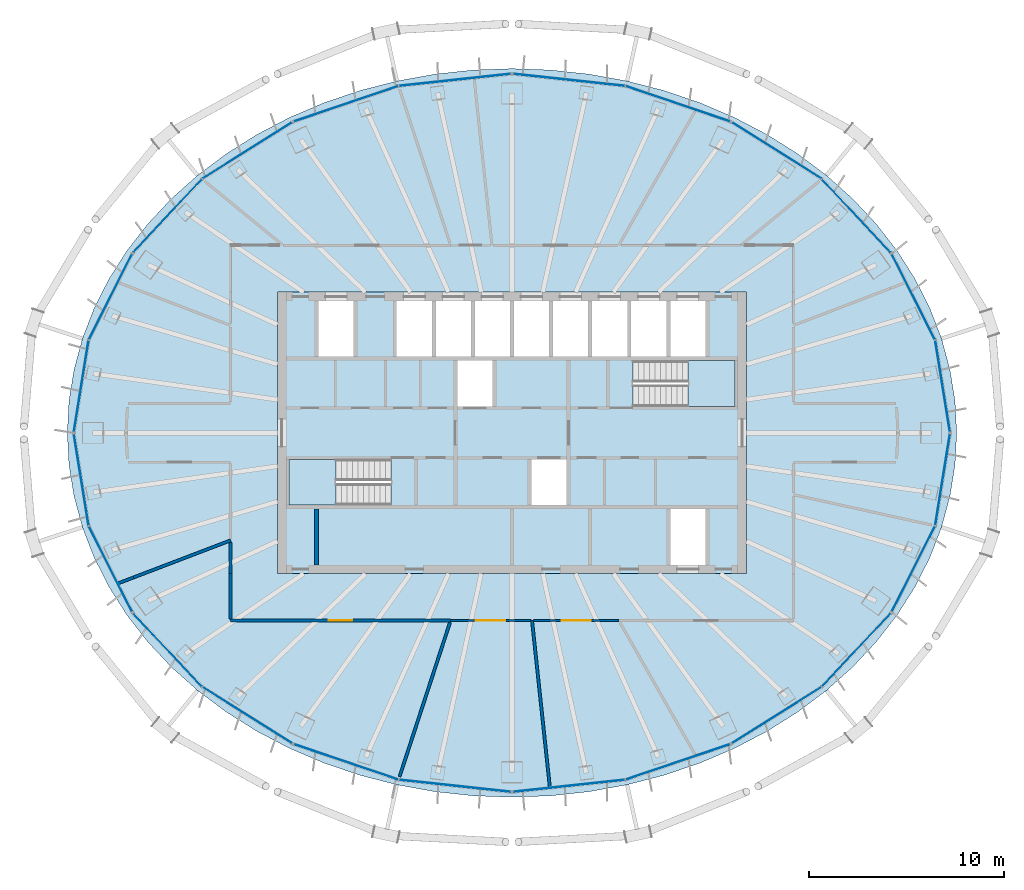
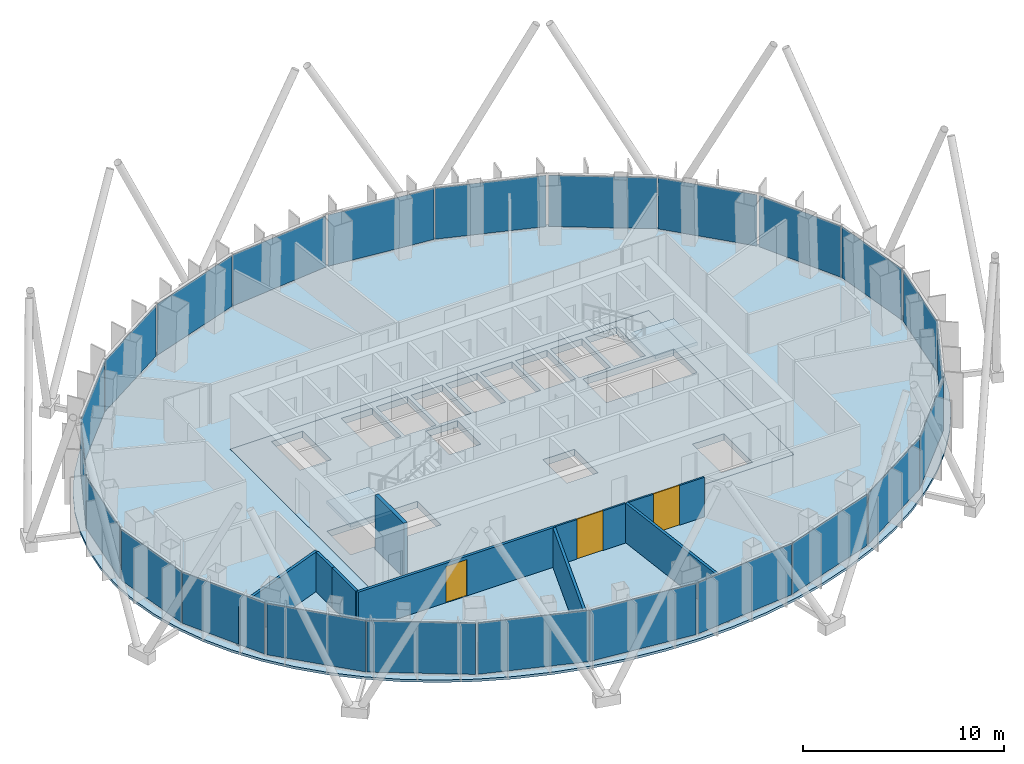
# One storey, part 8 of 18: 24 plates, 10 walls, 4 slabs, 3 doors, 3 openings, 14 elements without a shape of their own.
"""IFC4 building model written with IfcOpenShell, lengths in metres."""

from ifc_helpers import new_model, si_unit, direction, frame, frame_2d, origin, origin_2d, place, context, subcontext, project, spatial, polyline, rectangle, outline, extrude, material, layer, layer_set, type_object, element, fill, aggregate, save


model = new_model("IFC4")

# Units and contexts
model_context = context("Model", 3, precision=1e-05, world=origin(), true_north=direction((0.0, 1.0)))
body_context = subcontext(model_context, "Body", "Model", "MODEL_VIEW")
ifc_project = project(units=[si_unit("LENGTHUNIT", "METRE"), si_unit("AREAUNIT", "SQUARE_METRE"), si_unit("VOLUMEUNIT", "CUBIC_METRE"), si_unit("PLANEANGLEUNIT", "RADIAN"), si_unit("MASSUNIT", "GRAM", prefix="KILO")], contexts=[model_context])

# Site, building, storey
site_placement = place(None, origin())
site = spatial("IfcSite", under=ifc_project, at=site_placement, CompositionType="ELEMENT")
building_placement = place(site_placement, origin())
building = spatial("IfcBuilding", under=site, at=building_placement, Name="Siaravel Broadcast Tower", CompositionType="ELEMENT")
storey_placement = place(building_placement, frame((0.0, 0.0, 201.5)))
storey = spatial("IfcBuildingStorey", under=building, at=storey_placement, Name="L49", CompositionType="ELEMENT", Elevation=201.5)

# Curtain wall, plates
ifc_material_1 = material(Name="Aluminium 6063-T6", Category="aluminium")
ifc_layer_1 = layer(ifc_material_1, 0.179931640625)
ifc_layer_set_1 = layer_set([ifc_layer_1], Name="Aluminium 6063-T6")
curtain_wall_type = type_object("IfcCurtainWallType", Name="Unitised curtain wall, zone 3", PredefinedType="NOTDEFINED", material=ifc_layer_set_1)
curtain_wall_1_placement = place(storey_placement, origin())
curtain_wall_1 = element("IfcCurtainWall", 1, at=curtain_wall_1_placement, inside=storey, type_object=curtain_wall_type, Name="L49 Unitised curtain wall, zone 3 01", PredefinedType="NOTDEFINED")
ifc_material_2 = material(Name="Tinted insulated glass", Category="glass")
ifc_layer_2 = layer(ifc_material_2, 0.028076171875)
ifc_layer_set_2 = layer_set([ifc_layer_2], Name="Tinted insulated glass")
plate_type = type_object("IfcPlateType", Name="CW-Z3 glass panel", PredefinedType="CURTAIN_PANEL", material=ifc_layer_set_2)
plate_1_placement = place(storey_placement, frame((22.041259765625, 2.39453125, 0.099853515625), z_axis=(0.0, 0.0, 1.0), x_axis=(-0.158684528, 0.987329337, 0.0)))
plate_1 = element("IfcPlate", 2, at=plate_1_placement, type_object=plate_type, Name="CW-Z3 glass panel", PredefinedType="CURTAIN_PANEL", context=body_context, shape_type="SweptSolid", body=[
    extrude(rectangle(XDim=4.73046875, YDim=0.028076171875, at=origin_2d()), origin(), (0.0, 0.0, 1.0), 3.10009765625),
])
plate_2_placement = place(storey_placement, frame((20.546875, 6.962890625, 0.099853515625), z_axis=(0.0, 0.0, 1.0), x_axis=(-0.451258705, 0.892393176, 0.0)))
plate_2 = element("IfcPlate", 3, at=plate_2_placement, type_object=plate_type, Name="CW-Z3 glass panel", PredefinedType="CURTAIN_PANEL", context=body_context, shape_type="SweptSolid", body=[
    extrude(rectangle(XDim=4.87841796875, YDim=0.028076171875, at=origin_2d()), origin(), (0.0, 0.0, 1.0), 3.10009765625),
])
aggregate(curtain_wall_1, [plate_1, plate_2])

curtain_wall_2_placement = place(storey_placement, origin())
curtain_wall_2 = element("IfcCurtainWall", 4, at=curtain_wall_2_placement, inside=storey, type_object=curtain_wall_type, Name="L49 Unitised curtain wall, zone 3 02", PredefinedType="NOTDEFINED")
plate_3_placement = place(storey_placement, frame((17.626220703125, 11.10693359375, 0.099853515625), z_axis=(0.0, 0.0, 1.0), x_axis=(-0.683653057, 0.729807165, 0.0)))
plate_3 = element("IfcPlate", 5, at=plate_3_placement, type_object=plate_type, Name="CW-Z3 glass panel", PredefinedType="CURTAIN_PANEL", context=body_context, shape_type="SweptSolid", body=[
    extrude(rectangle(XDim=5.125, YDim=0.028076171875, at=origin_2d()), origin(), (0.0, 0.0, 1.0), 3.10009765625),
])
plate_4_placement = place(storey_placement, frame((13.54443359375, 14.45068359375, 0.099853515625), z_axis=(0.0, 0.0, 1.0), x_axis=(-0.846649293, 0.532151271, 0.0)))
plate_4 = element("IfcPlate", 6, at=plate_4_placement, type_object=plate_type, Name="CW-Z3 glass panel", PredefinedType="CURTAIN_PANEL", context=body_context, shape_type="SweptSolid", body=[
    extrude(rectangle(XDim=5.395751953125, YDim=0.028076171875, at=origin_2d()), origin(), (0.0, 0.0, 1.0), 3.10009765625),
])
aggregate(curtain_wall_2, [plate_3, plate_4])

curtain_wall_3_placement = place(storey_placement, origin())
curtain_wall_3 = element("IfcCurtainWall", 7, at=curtain_wall_3_placement, inside=storey, type_object=curtain_wall_type, Name="L49 Unitised curtain wall, zone 3 03", PredefinedType="NOTDEFINED")
plate_5_placement = place(storey_placement, frame((8.491455078125, 16.84033203125, 0.099853515625), z_axis=(0.0, 0.0, 1.0), x_axis=(-0.94697674, 0.321302122, 0.0)))
plate_5 = element("IfcPlate", 8, at=plate_5_placement, type_object=plate_type, Name="CW-Z3 glass panel", PredefinedType="CURTAIN_PANEL", context=body_context, shape_type="SweptSolid", body=[
    extrude(rectangle(XDim=5.6201171875, YDim=0.028076171875, at=origin_2d()), origin(), (0.0, 0.0, 1.0), 3.10009765625),
])
plate_6_placement = place(storey_placement, frame((2.916015625, 18.064208984375, 0.099853515625), z_axis=(0.0, 0.0, 1.0), x_axis=(-0.994235532, 0.107218032, 0.0)))
plate_6 = element("IfcPlate", 9, at=plate_6_placement, type_object=plate_type, Name="CW-Z3 glass panel", PredefinedType="CURTAIN_PANEL", context=body_context, shape_type="SweptSolid", body=[
    extrude(rectangle(XDim=5.74560546875, YDim=0.028076171875, at=origin_2d()), origin(), (0.0, 0.0, 1.0), 3.10009765625),
])
aggregate(curtain_wall_3, [plate_5, plate_6])

curtain_wall_4_placement = place(storey_placement, origin())
curtain_wall_4 = element("IfcCurtainWall", 10, at=curtain_wall_4_placement, inside=storey, type_object=curtain_wall_type, Name="L49 Unitised curtain wall, zone 3 04", PredefinedType="NOTDEFINED")
plate_7_placement = place(storey_placement, frame((-2.916015625, 18.064208984375, 0.099853515625), z_axis=(0.0, 0.0, 1.0), x_axis=(-0.994235532, -0.107218032, 0.0)))
plate_7 = element("IfcPlate", 11, at=plate_7_placement, type_object=plate_type, Name="CW-Z3 glass panel", PredefinedType="CURTAIN_PANEL", context=body_context, shape_type="SweptSolid", body=[
    extrude(rectangle(XDim=5.74560546875, YDim=0.028076171875, at=origin_2d()), origin(), (0.0, 0.0, 1.0), 3.10009765625),
])
plate_8_placement = place(storey_placement, frame((-8.491455078125, 16.84033203125, 0.099853515625), z_axis=(0.0, 0.0, 1.0), x_axis=(-0.94697674, -0.321302122, 0.0)))
plate_8 = element("IfcPlate", 12, at=plate_8_placement, type_object=plate_type, Name="CW-Z3 glass panel", PredefinedType="CURTAIN_PANEL", context=body_context, shape_type="SweptSolid", body=[
    extrude(rectangle(XDim=5.6201171875, YDim=0.028076171875, at=origin_2d()), origin(), (0.0, 0.0, 1.0), 3.10009765625),
])
aggregate(curtain_wall_4, [plate_7, plate_8])

curtain_wall_5_placement = place(storey_placement, origin())
curtain_wall_5 = element("IfcCurtainWall", 13, at=curtain_wall_5_placement, inside=storey, type_object=curtain_wall_type, Name="L49 Unitised curtain wall, zone 3 05", PredefinedType="NOTDEFINED")
plate_9_placement = place(storey_placement, frame((-13.54443359375, 14.45068359375, 0.099853515625), z_axis=(0.0, 0.0, 1.0), x_axis=(-0.846649293, -0.532151271, 0.0)))
plate_9 = element("IfcPlate", 14, at=plate_9_placement, type_object=plate_type, Name="CW-Z3 glass panel", PredefinedType="CURTAIN_PANEL", context=body_context, shape_type="SweptSolid", body=[
    extrude(rectangle(XDim=5.395751953125, YDim=0.028076171875, at=origin_2d()), origin(), (0.0, 0.0, 1.0), 3.10009765625),
])
plate_10_placement = place(storey_placement, frame((-17.626220703125, 11.10693359375, 0.099853515625), z_axis=(0.0, 0.0, 1.0), x_axis=(-0.683653057, -0.729807165, 0.0)))
plate_10 = element("IfcPlate", 15, at=plate_10_placement, type_object=plate_type, Name="CW-Z3 glass panel", PredefinedType="CURTAIN_PANEL", context=body_context, shape_type="SweptSolid", body=[
    extrude(rectangle(XDim=5.125, YDim=0.028076171875, at=origin_2d()), origin(), (0.0, 0.0, 1.0), 3.10009765625),
])
aggregate(curtain_wall_5, [plate_9, plate_10])

curtain_wall_6_placement = place(storey_placement, origin())
curtain_wall_6 = element("IfcCurtainWall", 16, at=curtain_wall_6_placement, inside=storey, type_object=curtain_wall_type, Name="L49 Unitised curtain wall, zone 3 06", PredefinedType="NOTDEFINED")
plate_11_placement = place(storey_placement, frame((-20.546875, 6.962890625, 0.099853515625), z_axis=(0.0, 0.0, 1.0), x_axis=(-0.451258705, -0.892393176, 0.0)))
plate_11 = element("IfcPlate", 17, at=plate_11_placement, type_object=plate_type, Name="CW-Z3 glass panel", PredefinedType="CURTAIN_PANEL", context=body_context, shape_type="SweptSolid", body=[
    extrude(rectangle(XDim=4.87841796875, YDim=0.028076171875, at=origin_2d()), origin(), (0.0, 0.0, 1.0), 3.10009765625),
])
plate_12_placement = place(storey_placement, frame((-22.041259765625, 2.39453125, 0.099853515625), z_axis=(0.0, 0.0, 1.0), x_axis=(-0.158684528, -0.987329337, 0.0)))
plate_12 = element("IfcPlate", 18, at=plate_12_placement, type_object=plate_type, Name="CW-Z3 glass panel", PredefinedType="CURTAIN_PANEL", context=body_context, shape_type="SweptSolid", body=[
    extrude(rectangle(XDim=4.73046875, YDim=0.028076171875, at=origin_2d()), origin(), (0.0, 0.0, 1.0), 3.10009765625),
])
aggregate(curtain_wall_6, [plate_11, plate_12])

curtain_wall_7_placement = place(storey_placement, origin())
curtain_wall_7 = element("IfcCurtainWall", 19, at=curtain_wall_7_placement, inside=storey, type_object=curtain_wall_type, Name="L49 Unitised curtain wall, zone 3 07", PredefinedType="NOTDEFINED")
plate_13_placement = place(storey_placement, frame((-22.041259765625, -2.39453125, 0.099853515625), z_axis=(0.0, 0.0, 1.0), x_axis=(0.158684528, -0.987329337, 0.0)))
plate_13 = element("IfcPlate", 20, at=plate_13_placement, type_object=plate_type, Name="CW-Z3 glass panel", PredefinedType="CURTAIN_PANEL", context=body_context, shape_type="SweptSolid", body=[
    extrude(rectangle(XDim=4.73046875, YDim=0.028076171875, at=origin_2d()), origin(), (0.0, 0.0, 1.0), 3.10009765625),
])
plate_14_placement = place(storey_placement, frame((-20.546875, -6.962890625, 0.099853515625), z_axis=(0.0, 0.0, 1.0), x_axis=(0.451258705, -0.892393176, 0.0)))
plate_14 = element("IfcPlate", 21, at=plate_14_placement, type_object=plate_type, Name="CW-Z3 glass panel", PredefinedType="CURTAIN_PANEL", context=body_context, shape_type="SweptSolid", body=[
    extrude(rectangle(XDim=4.87841796875, YDim=0.028076171875, at=origin_2d()), origin(), (0.0, 0.0, 1.0), 3.10009765625),
])
aggregate(curtain_wall_7, [plate_13, plate_14])

curtain_wall_8_placement = place(storey_placement, origin())
curtain_wall_8 = element("IfcCurtainWall", 22, at=curtain_wall_8_placement, inside=storey, type_object=curtain_wall_type, Name="L49 Unitised curtain wall, zone 3 08", PredefinedType="NOTDEFINED")
plate_15_placement = place(storey_placement, frame((-17.626220703125, -11.10693359375, 0.099853515625), z_axis=(0.0, 0.0, 1.0), x_axis=(0.683653057, -0.729807165, 0.0)))
plate_15 = element("IfcPlate", 23, at=plate_15_placement, type_object=plate_type, Name="CW-Z3 glass panel", PredefinedType="CURTAIN_PANEL", context=body_context, shape_type="SweptSolid", body=[
    extrude(rectangle(XDim=5.125, YDim=0.028076171875, at=origin_2d()), origin(), (0.0, 0.0, 1.0), 3.10009765625),
])
plate_16_placement = place(storey_placement, frame((-13.54443359375, -14.45068359375, 0.099853515625), z_axis=(0.0, 0.0, 1.0), x_axis=(0.846649293, -0.532151271, 0.0)))
plate_16 = element("IfcPlate", 24, at=plate_16_placement, type_object=plate_type, Name="CW-Z3 glass panel", PredefinedType="CURTAIN_PANEL", context=body_context, shape_type="SweptSolid", body=[
    extrude(rectangle(XDim=5.395751953125, YDim=0.028076171875, at=origin_2d()), origin(), (0.0, 0.0, 1.0), 3.10009765625),
])
aggregate(curtain_wall_8, [plate_15, plate_16])

curtain_wall_9_placement = place(storey_placement, origin())
curtain_wall_9 = element("IfcCurtainWall", 25, at=curtain_wall_9_placement, inside=storey, type_object=curtain_wall_type, Name="L49 Unitised curtain wall, zone 3 09", PredefinedType="NOTDEFINED")
plate_17_placement = place(storey_placement, frame((-8.491455078125, -16.84033203125, 0.099853515625), z_axis=(0.0, 0.0, 1.0), x_axis=(0.94697674, -0.321302122, 0.0)))
plate_17 = element("IfcPlate", 26, at=plate_17_placement, type_object=plate_type, Name="CW-Z3 glass panel", PredefinedType="CURTAIN_PANEL", context=body_context, shape_type="SweptSolid", body=[
    extrude(rectangle(XDim=5.6201171875, YDim=0.028076171875, at=origin_2d()), origin(), (0.0, 0.0, 1.0), 3.10009765625),
])
plate_18_placement = place(storey_placement, frame((-2.916015625, -18.064208984375, 0.099853515625), z_axis=(0.0, 0.0, 1.0), x_axis=(0.994235532, -0.107218032, 0.0)))
plate_18 = element("IfcPlate", 27, at=plate_18_placement, type_object=plate_type, Name="CW-Z3 glass panel", PredefinedType="CURTAIN_PANEL", context=body_context, shape_type="SweptSolid", body=[
    extrude(rectangle(XDim=5.74560546875, YDim=0.028076171875, at=origin_2d()), origin(), (0.0, 0.0, 1.0), 3.10009765625),
])
aggregate(curtain_wall_9, [plate_17, plate_18])

curtain_wall_10_placement = place(storey_placement, origin())
curtain_wall_10 = element("IfcCurtainWall", 28, at=curtain_wall_10_placement, inside=storey, type_object=curtain_wall_type, Name="L49 Unitised curtain wall, zone 3 10", PredefinedType="NOTDEFINED")
plate_19_placement = place(storey_placement, frame((2.916015625, -18.064208984375, 0.099853515625), z_axis=(0.0, 0.0, 1.0), x_axis=(0.994235532, 0.107218032, 0.0)))
plate_19 = element("IfcPlate", 29, at=plate_19_placement, type_object=plate_type, Name="CW-Z3 glass panel", PredefinedType="CURTAIN_PANEL", context=body_context, shape_type="SweptSolid", body=[
    extrude(rectangle(XDim=5.74560546875, YDim=0.028076171875, at=origin_2d()), origin(), (0.0, 0.0, 1.0), 3.10009765625),
])
plate_20_placement = place(storey_placement, frame((8.491455078125, -16.84033203125, 0.099853515625), z_axis=(0.0, 0.0, 1.0), x_axis=(0.94697674, 0.321302122, 0.0)))
plate_20 = element("IfcPlate", 30, at=plate_20_placement, type_object=plate_type, Name="CW-Z3 glass panel", PredefinedType="CURTAIN_PANEL", context=body_context, shape_type="SweptSolid", body=[
    extrude(rectangle(XDim=5.6201171875, YDim=0.028076171875, at=origin_2d()), origin(), (0.0, 0.0, 1.0), 3.10009765625),
])
aggregate(curtain_wall_10, [plate_19, plate_20])

curtain_wall_11_placement = place(storey_placement, origin())
curtain_wall_11 = element("IfcCurtainWall", 31, at=curtain_wall_11_placement, inside=storey, type_object=curtain_wall_type, Name="L49 Unitised curtain wall, zone 3 11", PredefinedType="NOTDEFINED")
plate_21_placement = place(storey_placement, frame((13.54443359375, -14.45068359375, 0.099853515625), z_axis=(0.0, 0.0, 1.0), x_axis=(0.846649293, 0.532151271, 0.0)))
plate_21 = element("IfcPlate", 32, at=plate_21_placement, type_object=plate_type, Name="CW-Z3 glass panel", PredefinedType="CURTAIN_PANEL", context=body_context, shape_type="SweptSolid", body=[
    extrude(rectangle(XDim=5.395751953125, YDim=0.028076171875, at=origin_2d()), origin(), (0.0, 0.0, 1.0), 3.10009765625),
])
plate_22_placement = place(storey_placement, frame((17.626220703125, -11.10693359375, 0.099853515625), z_axis=(0.0, 0.0, 1.0), x_axis=(0.683653057, 0.729807165, 0.0)))
plate_22 = element("IfcPlate", 33, at=plate_22_placement, type_object=plate_type, Name="CW-Z3 glass panel", PredefinedType="CURTAIN_PANEL", context=body_context, shape_type="SweptSolid", body=[
    extrude(rectangle(XDim=5.125, YDim=0.028076171875, at=origin_2d()), origin(), (0.0, 0.0, 1.0), 3.10009765625),
])
aggregate(curtain_wall_11, [plate_21, plate_22])

curtain_wall_12_placement = place(storey_placement, origin())
curtain_wall_12 = element("IfcCurtainWall", 34, at=curtain_wall_12_placement, inside=storey, type_object=curtain_wall_type, Name="L49 Unitised curtain wall, zone 3 12", PredefinedType="NOTDEFINED")
plate_23_placement = place(storey_placement, frame((20.546875, -6.962890625, 0.099853515625), z_axis=(0.0, 0.0, 1.0), x_axis=(0.451258705, 0.892393176, 0.0)))
plate_23 = element("IfcPlate", 35, at=plate_23_placement, type_object=plate_type, Name="CW-Z3 glass panel", PredefinedType="CURTAIN_PANEL", context=body_context, shape_type="SweptSolid", body=[
    extrude(rectangle(XDim=4.87841796875, YDim=0.028076171875, at=origin_2d()), origin(), (0.0, 0.0, 1.0), 3.10009765625),
])
plate_24_placement = place(storey_placement, frame((22.041259765625, -2.39453125, 0.099853515625), z_axis=(0.0, 0.0, 1.0), x_axis=(0.158684528, 0.987329337, 0.0)))
plate_24 = element("IfcPlate", 36, at=plate_24_placement, type_object=plate_type, Name="CW-Z3 glass panel", PredefinedType="CURTAIN_PANEL", context=body_context, shape_type="SweptSolid", body=[
    extrude(rectangle(XDim=4.73046875, YDim=0.028076171875, at=origin_2d()), origin(), (0.0, 0.0, 1.0), 3.10009765625),
])
aggregate(curtain_wall_12, [plate_23, plate_24])

# Slabs
ifc_material_3 = material(Name="Concrete C40/50", Category="concrete")
ifc_layer_3 = layer(ifc_material_3, 0.39990234375)
ifc_layer_set_3 = layer_set([ifc_layer_3], Name="Concrete C40/50")
slab_type_1 = type_object("IfcSlabType", Name="Core floor slab 400", PredefinedType="FLOOR", material=ifc_layer_set_3)
slab_1_placement = place(storey_placement, frame((0.0, 0.0, -0.39990234375)))
element("IfcSlab", 37, at=slab_1_placement, inside=storey, type_object=slab_type_1, Name="L49 core floor", PredefinedType="FLOOR", context=body_context, shape_type="SweptSolid", body=[
    extrude(outline(polyline([(-12.0, -7.199951171875), (-12.0, 7.199951171875), (12.0, 7.199951171875), (12.0, -7.199951171875), (-12.0, -7.199951171875)]), holes=[polyline([(11.3994140625, 1.3505859375), (11.3994140625, 3.699462890625), (6.200439453125, 3.699462890625), (6.200439453125, 1.3505859375), (11.3994140625, 1.3505859375)]), polyline([(8.10009765625, -3.89990234375), (8.10009765625, -6.75), (9.89990234375, -6.75), (9.89990234375, -3.89990234375), (8.10009765625, -3.89990234375)]), polyline([(9.89990234375, 6.75), (8.10009765625, 6.75), (8.10009765625, 3.89990234375), (9.89990234375, 3.89990234375), (9.89990234375, 6.75)]), polyline([(7.89990234375, 6.75), (6.10009765625, 6.75), (6.10009765625, 3.89990234375), (7.89990234375, 3.89990234375), (7.89990234375, 6.75)]), polyline([(5.89990234375, 6.75), (4.10009765625, 6.75), (4.10009765625, 3.89990234375), (5.89990234375, 3.89990234375), (5.89990234375, 6.75)]), polyline([(3.89990234375, 6.75), (2.10009765625, 6.75), (2.10009765625, 3.89990234375), (3.89990234375, 3.89990234375), (3.89990234375, 6.75)]), polyline([(2.800048828125, -1.35009765625), (1.0, -1.35009765625), (1.0, -3.699951171875), (2.800048828125, -3.699951171875), (2.800048828125, -1.35009765625)]), polyline([(1.89990234375, 6.75), (0.10009765625, 6.75), (0.10009765625, 3.89990234375), (1.89990234375, 3.89990234375), (1.89990234375, 6.75)]), polyline([(-0.10009765625, 6.75), (-1.89990234375, 6.75), (-1.89990234375, 3.89990234375), (-0.10009765625, 3.89990234375), (-0.10009765625, 6.75)]), polyline([(-1.0, 3.699951171875), (-2.800048828125, 3.699951171875), (-2.800048828125, 1.35009765625), (-1.0, 1.35009765625), (-1.0, 3.699951171875)]), polyline([(-2.10009765625, 6.75), (-3.89990234375, 6.75), (-3.89990234375, 3.89990234375), (-2.10009765625, 3.89990234375), (-2.10009765625, 6.75)]), polyline([(-4.10009765625, 6.75), (-5.89990234375, 6.75), (-5.89990234375, 3.89990234375), (-4.10009765625, 3.89990234375), (-4.10009765625, 6.75)]), polyline([(-11.3994140625, -3.699462890625), (-6.200439453125, -3.699462890625), (-6.200439453125, -1.3505859375), (-11.3994140625, -1.3505859375), (-11.3994140625, -3.699462890625)]), polyline([(-8.10009765625, 6.75), (-9.89990234375, 6.75), (-9.89990234375, 3.89990234375), (-8.10009765625, 3.89990234375), (-8.10009765625, 6.75)])]), origin(), (0.0, 0.0, 1.0), 0.39990234375),
])
ifc_layer_4 = layer(ifc_material_3, 0.14990234375)
ifc_layer_set_4 = layer_set([ifc_layer_4], Name="Concrete C40/50")
slab_type_2 = type_object("IfcSlabType", Name="SLB-FLOOR-150", PredefinedType="FLOOR", material=ifc_layer_set_4)
slab_2_placement = place(storey_placement, frame((0.0, 0.0, -0.14990234375)))
element("IfcSlab", 38, at=slab_2_placement, inside=storey, type_object=slab_type_2, Name="Floor slab", PredefinedType="FLOOR", context=body_context, shape_type="SweptSolid", body=[
    extrude(outline(polyline([(22.76025390625, 0.0), (22.673583984375, 1.625), (22.41455078125, 3.2373046875), (21.98486328125, 4.8251953125), (21.3876953125, 6.376220703125), (20.627685546875, 7.87890625), (19.7109375, 9.321533203125), (18.64404296875, 10.693359375), (17.435302734375, 11.983642578125), (16.093994140625, 13.1826171875), (14.6298828125, 14.281494140625), (13.0546875, 15.271484375), (11.380126953125, 16.1455078125), (9.618896484375, 16.896484375), (7.784423828125, 17.518798828125), (5.890869140625, 18.0078125), (3.952392578125, 18.360107421875), (1.983642578125, 18.572265625), (0.0, 18.643310546875), (-1.983642578125, 18.572265625), (-3.952392578125, 18.360107421875), (-5.890869140625, 18.0078125), (-7.784423828125, 17.518798828125), (-9.618896484375, 16.896484375), (-11.380126953125, 16.1455078125), (-13.0546875, 15.271484375), (-14.6298828125, 14.281494140625), (-16.093994140625, 13.1826171875), (-17.435302734375, 11.983642578125), (-18.64404296875, 10.693359375), (-19.7109375, 9.321533203125), (-20.627685546875, 7.87890625), (-21.3876953125, 6.376220703125), (-21.98486328125, 4.8251953125), (-22.41455078125, 3.2373046875), (-22.673583984375, 1.625), (-22.76025390625, 0.0), (-22.673583984375, -1.625), (-22.41455078125, -3.2373046875), (-21.98486328125, -4.8251953125), (-21.3876953125, -6.376220703125), (-20.627685546875, -7.87890625), (-19.7109375, -9.321533203125), (-18.64404296875, -10.693359375), (-17.435302734375, -11.983642578125), (-16.093994140625, -13.1826171875), (-14.6298828125, -14.281494140625), (-13.0546875, -15.271484375), (-11.380126953125, -16.1455078125), (-9.618896484375, -16.896484375), (-7.784423828125, -17.518798828125), (-5.890869140625, -18.0078125), (-3.952392578125, -18.360107421875), (-1.983642578125, -18.572265625), (0.0, -18.643310546875), (1.983642578125, -18.572265625), (3.952392578125, -18.360107421875), (5.890869140625, -18.0078125), (7.784423828125, -17.518798828125), (9.618896484375, -16.896484375), (11.380126953125, -16.1455078125), (13.0546875, -15.271484375), (14.6298828125, -14.281494140625), (16.093994140625, -13.1826171875), (17.435302734375, -11.983642578125), (18.64404296875, -10.693359375), (19.7109375, -9.321533203125), (20.627685546875, -7.87890625), (21.3876953125, -6.376220703125), (21.98486328125, -4.8251953125), (22.41455078125, -3.2373046875), (22.673583984375, -1.625), (22.76025390625, 0.0)]), holes=[polyline([(-12.0, 7.199951171875), (12.0, 7.199951171875), (12.0, -7.199951171875), (-12.0, -7.199951171875), (-12.0, 7.199951171875)])]), origin(), (0.0, 0.0, 1.0), 0.14990234375),
])

# Stair, slab
stair_type = type_object("IfcStairType", Name="Core exit stair", PredefinedType="HALF_TURN_STAIR", material=ifc_material_3)
stair_1_placement = place(storey_placement, origin())
stair_1 = element("IfcStair", 39, at=stair_1_placement, inside=storey, type_object=stair_type, Name="L49 Exit stair ST-1", PredefinedType="HALF_TURN_STAIR")
ifc_layer_5 = layer(ifc_material_3, 0.199951171875)
ifc_layer_set_5 = layer_set([ifc_layer_5], Name="Concrete C40/50")
slab_type_3 = type_object("IfcSlabType", Name="Stair landing", PredefinedType="LANDING", material=ifc_layer_set_5)
slab_3_placement = place(storey_placement, frame((0.0, 0.0, 1.64990234375)))
slab_3 = element("IfcSlab", 40, at=slab_3_placement, type_object=slab_type_3, Name="ST-1 landing 1", PredefinedType="LANDING", context=body_context, shape_type="SweptSolid", body=[
    extrude(outline(polyline([(-9.0, -1.35009765625), (-11.39990234375, -1.35009765625), (-11.39990234375, -3.699951171875), (-9.0, -3.699951171875), (-9.0, -1.35009765625)])), origin(), (0.0, 0.0, 1.0), 0.2001953125),
])
aggregate(stair_1, [slab_3])

stair_2_placement = place(storey_placement, origin())
stair_2 = element("IfcStair", 41, at=stair_2_placement, inside=storey, type_object=stair_type, Name="L49 Exit stair ST-2", PredefinedType="HALF_TURN_STAIR")
slab_4_placement = place(storey_placement, frame((0.0, 0.0, 1.64990234375)))
slab_4 = element("IfcSlab", 42, at=slab_4_placement, type_object=slab_type_3, Name="ST-2 landing 1", PredefinedType="LANDING", context=body_context, shape_type="SweptSolid", body=[
    extrude(outline(polyline([(9.0, 1.35009765625), (11.39990234375, 1.35009765625), (11.39990234375, 3.699951171875), (9.0, 3.699951171875), (9.0, 1.35009765625)])), origin(), (0.0, 0.0, 1.0), 0.2001953125),
])
aggregate(stair_2, [slab_4])

# Wall, opening, door
ifc_material_4 = material(Name="Gypsum board partition", Category="gypsum")
ifc_layer_6 = layer(ifc_material_4, 0.14990234375)
ifc_layer_set_6 = layer_set([ifc_layer_6], Name="Gypsum board partition")
wall_type_1 = type_object("IfcWallType", Name="Corridor wall 150", PredefinedType="PARTITIONING", material=ifc_layer_set_6)
wall_1_placement = place(storey_placement, frame((-14.39990234375, -9.60009765625, 0.0), z_axis=(0.0, 0.0, 1.0), x_axis=(1.0, 0.0, 0.0)))
wall_1 = element("IfcWall", 43, at=wall_1_placement, inside=storey, type_object=wall_type_1, Name="L49 partition 1", PredefinedType="PARTITIONING", context=body_context, shape_type="SweptSolid", body=[
    extrude(rectangle(XDim=11.259521484375, YDim=0.14990234375, at=frame_2d((5.6298828125, 0.0))), origin(), (0.0, 0.0, 1.0), 2.39990234375),
])
opening_1_placement = place(wall_1_placement, frame((5.02978515625, 0.0, 0.0)))
opening_1 = element("IfcOpeningElement", 44, at=opening_1_placement, cuts=wall_1, Name="Opening L49-004", PredefinedType="OPENING", context=body_context, shape_type="SweptSolid", body=[
    extrude(rectangle(XDim=1.199951171875, YDim=2.199951171875, at=frame_2d((0.60009765625, 1.10009765625))), frame((0.0, 0.0849609375, 0.0), z_axis=(0.0, -1.0, 0.0), x_axis=(1.0, 0.0, 0.0)), (0.0, 0.0, 1.0), 0.169921875),
])
ifc_material_5 = material(Name="Timber veneer", Category="wood")
door_type_1 = type_object("IfcDoorType", Name="Office double door 1200", OperationType="DOUBLE_DOOR_SINGLE_SWING", PredefinedType="DOOR", material=ifc_material_5)
door_1_placement = place(opening_1_placement, origin())
door_1 = element("IfcDoor", 45, at=door_1_placement, inside=storey, type_object=door_type_1, Name="L49 door to Open plan office", OperationType="DOUBLE_DOOR_SINGLE_SWING", OverallHeight=2.199951171875, OverallWidth=1.199951171875, PredefinedType="DOOR", context=body_context, shape_type="SweptSolid", body=[
    extrude(rectangle(XDim=1.199951171875, YDim=2.199951171875, at=frame_2d((0.60009765625, 1.10009765625))), frame((0.0, 0.02490234375, 0.0), z_axis=(0.0, -1.0, 0.0), x_axis=(1.0, 0.0, 0.0)), (0.0, 0.0, 1.0), 0.050048828125),
])
fill(opening_1, door_1)

# Walls
wall_2_placement = place(storey_placement, frame((-14.39990234375, -7.18798828125, 0.0), z_axis=(0.0, 0.0, 1.0), x_axis=(0.0, -1.0, 0.0)))
element("IfcWall", 46, at=wall_2_placement, inside=storey, type_object=wall_type_1, Name="L49 partition 30", PredefinedType="PARTITIONING", context=body_context, shape_type="SweptSolid", body=[
    extrude(rectangle(XDim=2.3349609375, YDim=0.14990234375, at=frame_2d((1.16748046875, 0.0))), origin(), (0.0, 0.0, 1.0), 2.39990234375),
])
wall_3_placement = place(storey_placement, frame((-14.39990234375, -5.611083984375, 0.0), z_axis=(0.0, 0.0, 1.0), x_axis=(0.0, -1.0, 0.0)))
element("IfcWall", 47, at=wall_3_placement, inside=storey, type_object=wall_type_1, Name="L49 partition 35", PredefinedType="PARTITIONING", context=body_context, shape_type="SweptSolid", body=[
    extrude(rectangle(XDim=1.575927734375, YDim=0.14990234375, at=frame_2d((0.7880859375, 0.0))), origin(), (0.0, 0.0, 1.0), 2.39990234375),
])

# Wall, opening, door
ifc_material_6 = material(Name="Glazed aluminium partition", Category="aluminium")
ifc_layer_7 = layer(ifc_material_6, 0.10009765625)
ifc_layer_set_7 = layer_set([ifc_layer_7], Name="Glazed aluminium partition")
wall_type_2 = type_object("IfcWallType", Name="Glazed meeting room partition 100", PredefinedType="PARTITIONING", material=ifc_layer_set_7)
wall_4_placement = place(storey_placement, frame((1.108154296875, -9.60009765625, 0.0), z_axis=(0.0, 0.0, 1.0), x_axis=(1.0, 0.0, 0.0)))
wall_4 = element("IfcWall", 48, at=wall_4_placement, inside=storey, type_object=wall_type_2, Name="L49 partition 22", PredefinedType="PARTITIONING", context=body_context, shape_type="SweptSolid", body=[
    extrude(rectangle(XDim=4.35693359375, YDim=0.10009765625, at=frame_2d((2.178466796875, 0.0))), origin(), (0.0, 0.0, 1.0), 2.39990234375),
])
opening_2_placement = place(wall_4_placement, frame((1.428466796875, 0.0, 0.0)))
opening_2 = element("IfcOpeningElement", 49, at=opening_2_placement, cuts=wall_4, Name="Opening L49-006", PredefinedType="OPENING", context=body_context, shape_type="SweptSolid", body=[
    extrude(rectangle(XDim=1.5, YDim=2.39990234375, at=frame_2d((0.75, 1.199951171875))), frame((0.0, 0.06005859375, 0.0), z_axis=(0.0, -1.0, 0.0), x_axis=(1.0, 0.0, 0.0)), (0.0, 0.0, 1.0), 0.1201171875),
])
door_type_2 = type_object("IfcDoorType", Name="Conference double door 1500", OperationType="DOUBLE_DOOR_SINGLE_SWING", PredefinedType="DOOR", material=ifc_material_5)
door_2_placement = place(opening_2_placement, origin())
door_2 = element("IfcDoor", 50, at=door_2_placement, inside=storey, type_object=door_type_2, Name="L49 door to Conference room", OperationType="DOUBLE_DOOR_SINGLE_SWING", OverallHeight=2.39990234375, OverallWidth=1.5, PredefinedType="DOOR", context=body_context, shape_type="SweptSolid", body=[
    extrude(rectangle(XDim=1.5, YDim=2.39990234375, at=frame_2d((0.75, 1.199951171875))), frame((0.0, 0.02490234375, 0.0), z_axis=(0.0, -1.0, 0.0), x_axis=(1.0, 0.0, 0.0)), (0.0, 0.0, 1.0), 0.050048828125),
])
fill(opening_2, door_2)

wall_5_placement = place(storey_placement, frame((-3.140380859375, -9.60009765625, 0.0), z_axis=(0.0, 0.0, 1.0), x_axis=(1.0, 0.0, 0.0)))
wall_5 = element("IfcWall", 51, at=wall_5_placement, inside=storey, type_object=wall_type_2, Name="L49 partition 23", PredefinedType="PARTITIONING", context=body_context, shape_type="SweptSolid", body=[
    extrude(rectangle(XDim=4.089111328125, YDim=0.10009765625, at=frame_2d((2.04443359375, 0.0))), origin(), (0.0, 0.0, 1.0), 2.39990234375),
])
opening_3_placement = place(wall_5_placement, frame((1.294677734375, 0.0, 0.0)))
opening_3 = element("IfcOpeningElement", 52, at=opening_3_placement, cuts=wall_5, Name="Opening L49-005", PredefinedType="OPENING", context=body_context, shape_type="SweptSolid", body=[
    extrude(rectangle(XDim=1.5, YDim=2.39990234375, at=frame_2d((0.75, 1.199951171875))), frame((0.0, 0.06005859375, 0.0), z_axis=(0.0, -1.0, 0.0), x_axis=(1.0, 0.0, 0.0)), (0.0, 0.0, 1.0), 0.1201171875),
])
door_3_placement = place(opening_3_placement, origin())
door_3 = element("IfcDoor", 53, at=door_3_placement, inside=storey, type_object=door_type_2, Name="L49 door to Boardroom", OperationType="DOUBLE_DOOR_SINGLE_SWING", OverallHeight=2.39990234375, OverallWidth=1.5, PredefinedType="DOOR", context=body_context, shape_type="SweptSolid", body=[
    extrude(rectangle(XDim=1.5, YDim=2.39990234375, at=frame_2d((0.75, 1.199951171875))), frame((0.0, 0.02490234375, 0.0), z_axis=(0.0, -1.0, 0.0), x_axis=(1.0, 0.0, 0.0)), (0.0, 0.0, 1.0), 0.050048828125),
])
fill(opening_3, door_3)

# Walls
ifc_layer_8 = layer(ifc_material_4, 0.14990234375)
ifc_layer_set_8 = layer_set([ifc_layer_8], Name="Gypsum board partition")
wall_type_3 = type_object("IfcWallType", Name="Room partition 150", PredefinedType="PARTITIONING", material=ifc_layer_set_8)
wall_6_placement = place(storey_placement, frame((1.9375, -18.1396484375, 0.0), z_axis=(0.0, 0.0, 1.0), x_axis=(-0.106205895, 0.99434416, 0.0)))
element("IfcWall", 54, at=wall_6_placement, inside=storey, type_object=wall_type_3, Name="L49 partition 4", PredefinedType="PARTITIONING", context=body_context, shape_type="SweptSolid", body=[
    extrude(rectangle(XDim=8.588134765625, YDim=0.14990234375, at=frame_2d((4.2939453125, 0.0))), origin(), (0.0, 0.0, 1.0), 2.39990234375),
])
wall_7_placement = place(storey_placement, frame((-5.75390625, -17.589111328125, 0.0), z_axis=(0.0, 0.0, 1.0), x_axis=(0.31092844, 0.950433325, 0.0)))
element("IfcWall", 55, at=wall_7_placement, inside=storey, type_object=wall_type_3, Name="L49 partition 6", PredefinedType="PARTITIONING", context=body_context, shape_type="SweptSolid", body=[
    extrude(rectangle(XDim=8.30029296875, YDim=0.14990234375, at=frame_2d((4.150146484375, 0.0))), origin(), (0.0, 0.0, 1.0), 2.39990234375),
])
wall_8_placement = place(storey_placement, frame((-19.36669921875, -7.397216796875, 0.0), z_axis=(0.0, 0.0, 1.0), x_axis=(0.934183326, 0.356793376, 0.0)))
element("IfcWall", 56, at=wall_8_placement, inside=storey, type_object=wall_type_3, Name="L49 partition 14", PredefinedType="PARTITIONING", context=body_context, shape_type="SweptSolid", body=[
    extrude(rectangle(XDim=5.316650390625, YDim=0.14990234375, at=frame_2d((2.658203125, 0.0))), origin(), (0.0, 0.0, 1.0), 2.39990234375),
])
wall_9_placement = place(storey_placement, frame((-20.17822265625, -7.707275390625, 0.0), z_axis=(0.0, 0.0, 1.0), x_axis=(0.934184285, 0.356790865, 0.0)))
element("IfcWall", 57, at=wall_9_placement, inside=storey, type_object=wall_type_3, Name="L49 partition 43", PredefinedType="PARTITIONING", context=body_context, shape_type="SweptSolid", body=[
    extrude(rectangle(XDim=0.86767578125, YDim=0.14990234375, at=frame_2d((0.433837890625, 0.0))), origin(), (0.0, 0.0, 1.0), 2.39990234375),
])
ifc_material_7 = material(Name="Concrete C60/75", Category="concrete")
ifc_layer_9 = layer(ifc_material_7, 0.199951171875)
ifc_layer_set_9 = layer_set([ifc_layer_9], Name="Concrete C60/75")
wall_type_4 = type_object("IfcWallType", Name="Shaft wall 200", PredefinedType="SHEAR", material=ifc_layer_set_9)
wall_10_placement = place(storey_placement, frame((-10.0, -6.75, 0.0), z_axis=(0.0, 0.0, 1.0), x_axis=(0.0, 1.0, 0.0)))
element("IfcWall", 58, at=wall_10_placement, inside=storey, type_object=wall_type_4, Name="L49 core wall SWS0", PredefinedType="SHEAR", context=body_context, shape_type="SweptSolid", body=[
    extrude(rectangle(XDim=2.85009765625, YDim=0.199951171875, at=frame_2d((1.425048828125, 0.0))), origin(), (0.0, 0.0, 1.0), 3.300048828125),
])

save(model, "model.ifc")
